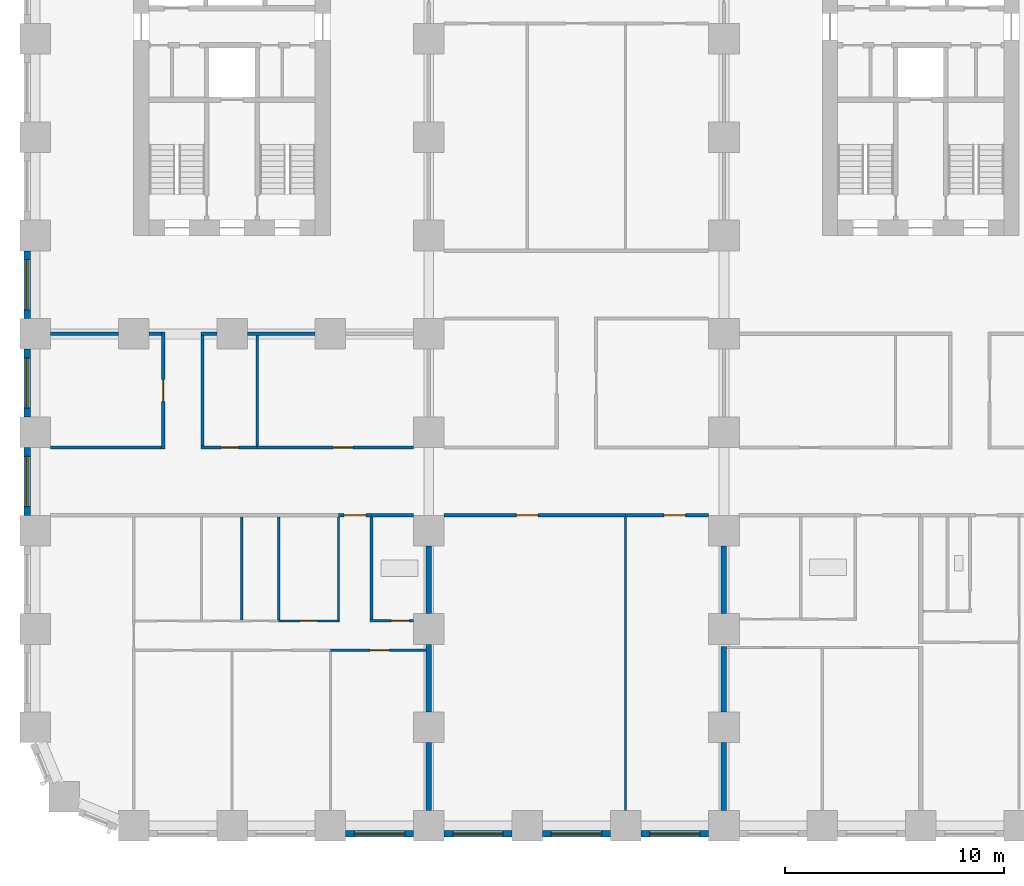
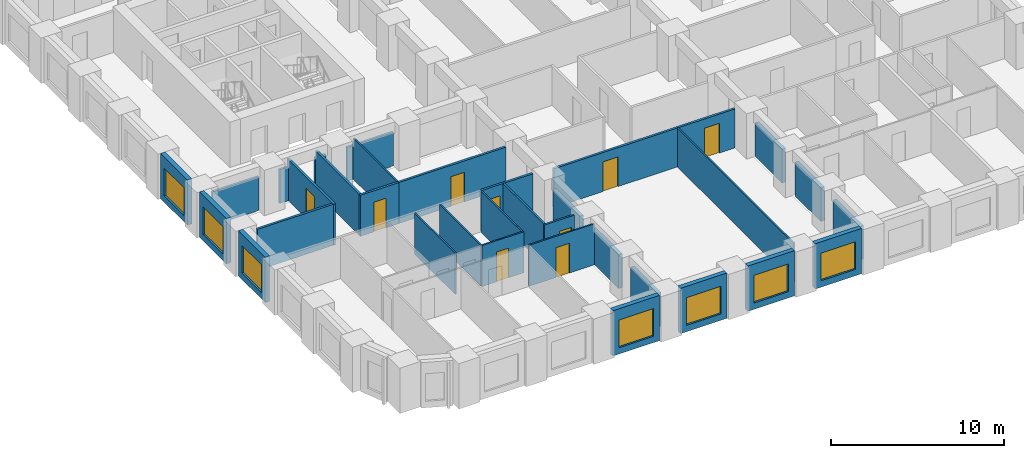
# One storey, part 3 of 13: 35 walls, 9 doors, 7 windows, 16 openings.
"""IFC4 building model written with IfcOpenShell, lengths in metres."""

from ifc_helpers import new_model, si_unit, direction, frame, frame_2d, origin, place, context, subcontext, project, spatial, rectangle, extrude, material, layer, layer_set, type_object, element, fill, save


model = new_model("IFC4")

# Units and contexts
model_context = context("Model", 3, precision=1e-05, world=origin(), true_north=direction((0.0, 1.0)))
body_context = subcontext(model_context, "Body", "Model", "MODEL_VIEW")
ifc_project = project(units=[si_unit("LENGTHUNIT", "METRE"), si_unit("AREAUNIT", "SQUARE_METRE"), si_unit("VOLUMEUNIT", "CUBIC_METRE"), si_unit("PLANEANGLEUNIT", "RADIAN"), si_unit("MASSUNIT", "GRAM", prefix="KILO")], contexts=[model_context])

# Site, building, storey
site_placement = place(None, origin())
site = spatial("IfcSite", under=ifc_project, at=site_placement, CompositionType="ELEMENT")
building_placement = place(site_placement, origin())
building = spatial("IfcBuilding", under=site, at=building_placement, Name="Girih Gate Residences", CompositionType="ELEMENT")
storey_placement = place(building_placement, frame((0.0, 0.0, 43.199951171875)))
storey = spatial("IfcBuildingStorey", under=building, at=storey_placement, Name="L10", CompositionType="ELEMENT", Elevation=43.199951171875)

# Walls
ifc_material_1 = material(Name="Gypsum board on steel studs", Category="steel")
ifc_layer_1 = layer(ifc_material_1, 0.25)
ifc_layer_set_1 = layer_set([ifc_layer_1], Name="Acoustic separating wall 250 mm")
wall_type_1 = type_object("IfcWallType", Name="Acoustic separating wall 250 mm", PredefinedType="PARTITIONING", material=ifc_layer_set_1)
for number, where, z_axis, x_axis, name in (
    (1, (18.0, 9.699951171875, 0.0), (0.0, 0.0, 1.0), (0.0, 1.0, 0.0), "L10 partition"),
    (2, (18.0, 5.199951171875, 0.0), (0.0, 0.0, 1.0), (0.0, 1.0, 0.0), "L10 partition"),
    (3, (18.0, 0.699951171875, 0.0), (0.0, 0.0, 1.0), (0.0, 1.0, 0.0), "L10 partition"),
    (4, (31.5, 9.699951171875, 0.0), (0.0, 0.0, 1.0), (0.0, 1.0, 0.0), "L10 partition"),
    (5, (31.5, 0.699951171875, 0.0), (0.0, 0.0, 1.0), (0.0, 1.0, 0.0), "L10 partition"),
):
    element("IfcWall", number, at=place(storey_placement, frame(where, z_axis=z_axis, x_axis=x_axis)), inside=storey, type_object=wall_type_1, Name=name, PredefinedType="PARTITIONING", context=body_context, shape_type="SweptSolid", body=[
        extrude(rectangle(XDim=3.10009765625, YDim=0.25, at=frame_2d((1.550048828125, 0.0))), origin(), (0.0, 0.0, 1.0), 2.380126953125),
    ])
wall_1_placement = place(storey_placement, frame((31.5, 5.199951171875, 0.0), z_axis=(0.0, 0.0, 1.0), x_axis=(0.0, 1.0, 0.0)))
element("IfcWall", 6, at=wall_1_placement, inside=storey, type_object=wall_type_1, Name="L10 partition", PredefinedType="PARTITIONING", context=body_context, shape_type="SweptSolid", body=[
    extrude(rectangle(XDim=3.0, YDim=0.25, at=frame_2d((1.5, 0.0))), origin(), (0.0, 0.0, 1.0), 2.380126953125),
])
ifc_layer_2 = layer(ifc_material_1, 0.14990234375)
ifc_layer_set_2 = layer_set([ifc_layer_2], Name="Compartment wall 150 mm")
wall_type_2 = type_object("IfcWallType", Name="Compartment wall 150 mm", PredefinedType="PARTITIONING", material=ifc_layer_set_2)
wall_2_placement = place(storey_placement, frame((15.375, 14.199951171875, 0.0), z_axis=(0.0, 0.0, 1.0), x_axis=(1.0, 0.0, 0.0)))
element("IfcWall", 7, at=wall_2_placement, inside=storey, type_object=wall_type_2, Name="L10 partition", PredefinedType="PARTITIONING", context=body_context, shape_type="SweptSolid", body=[
    extrude(rectangle(XDim=1.925048828125, YDim=0.14990234375, at=frame_2d((0.96240234375, 0.0))), origin(), (0.0, 0.0, 1.0), 2.900146484375),
])

# Wall, opening, door
wall_3_placement = place(storey_placement, frame((15.375, 14.199951171875, 0.0), z_axis=(0.0, 0.0, 1.0), x_axis=(-1.0, 0.0, 0.0)))
wall_3 = element("IfcWall", 8, at=wall_3_placement, inside=storey, type_object=wall_type_2, Name="L10 partition", PredefinedType="PARTITIONING", context=body_context, shape_type="SweptSolid", body=[
    extrude(rectangle(XDim=1.5, YDim=0.14990234375, at=frame_2d((0.75, 0.0))), origin(), (0.0, 0.0, 1.0), 2.900146484375),
])
opening_1_placement = place(wall_3_placement, frame((0.25, 0.0, 0.0)))
opening_1 = element("IfcOpeningElement", 9, at=opening_1_placement, cuts=wall_3, Name="Opening A10-010", PredefinedType="OPENING", context=body_context, shape_type="SweptSolid", body=[
    extrude(rectangle(XDim=1.0, YDim=2.10009765625, at=frame_2d((0.5, 1.050048828125))), frame((0.0, 0.0849609375, 0.0), z_axis=(0.0, -1.0, 0.0), x_axis=(1.0, 0.0, 0.0)), (0.0, 0.0, 1.0), 0.169921875),
])
ifc_material_2 = material(Name="Timber, fire-rated core", Category="wood")
door_type_1 = type_object("IfcDoorType", Name="Flat entrance door 1000x2100 FD30S", OperationType="NOTDEFINED", PredefinedType="DOOR", material=ifc_material_2)
door_1_placement = place(opening_1_placement, origin())
door_1 = element("IfcDoor", 10, at=door_1_placement, inside=storey, type_object=door_type_1, Name="Door A10-010", OperationType="SINGLE_SWING_RIGHT", OverallHeight=2.10009765625, OverallWidth=1.0, PredefinedType="DOOR", context=body_context, shape_type="SweptSolid", body=[
    extrude(rectangle(XDim=1.0, YDim=2.10009765625, at=frame_2d((0.5, 1.050048828125))), frame((0.0, 0.02490234375, 0.0), z_axis=(0.0, -1.0, 0.0), x_axis=(1.0, 0.0, 0.0)), (0.0, 0.0, 1.0), 0.050048828125),
])
fill(opening_1, door_1)

wall_4_placement = place(storey_placement, frame((27.0, 14.199951171875, 0.0), z_axis=(0.0, 0.0, 1.0), x_axis=(-1.0, 0.0, 0.0)))
wall_4 = element("IfcWall", 11, at=wall_4_placement, inside=storey, type_object=wall_type_2, Name="L10 partition", PredefinedType="PARTITIONING", context=body_context, shape_type="SweptSolid", body=[
    extrude(rectangle(XDim=8.300048828125, YDim=0.14990234375, at=frame_2d((4.14990234375, 0.0))), origin(), (0.0, 0.0, 1.0), 2.75),
])
opening_2_placement = place(wall_4_placement, frame((4.0, 0.0, 0.0)))
opening_2 = element("IfcOpeningElement", 12, at=opening_2_placement, cuts=wall_4, Name="Opening A10-049", PredefinedType="OPENING", context=body_context, shape_type="SweptSolid", body=[
    extrude(rectangle(XDim=1.0, YDim=2.10009765625, at=frame_2d((0.5, 1.050048828125))), frame((0.0, 0.0849609375, 0.0), z_axis=(0.0, -1.0, 0.0), x_axis=(1.0, 0.0, 0.0)), (0.0, 0.0, 1.0), 0.169921875),
])
door_type_2 = type_object("IfcDoorType", Name="Amenity room door 1000x2100 FD30S", OperationType="NOTDEFINED", PredefinedType="DOOR", material=ifc_material_2)
door_2_placement = place(opening_2_placement, origin())
door_2 = element("IfcDoor", 13, at=door_2_placement, inside=storey, type_object=door_type_2, Name="Door A10-049", OperationType="SINGLE_SWING_RIGHT", OverallHeight=2.10009765625, OverallWidth=1.0, PredefinedType="DOOR", context=body_context, shape_type="SweptSolid", body=[
    extrude(rectangle(XDim=1.0, YDim=2.10009765625, at=frame_2d((0.5, 1.050048828125))), frame((0.0, 0.02490234375, 0.0), z_axis=(0.0, -1.0, 0.0), x_axis=(1.0, 0.0, 0.0)), (0.0, 0.0, 1.0), 0.050048828125),
])
fill(opening_2, door_2)

wall_5_placement = place(storey_placement, frame((30.800048828125, 14.199951171875, 0.0), z_axis=(0.0, 0.0, 1.0), x_axis=(-1.0, 0.0, 0.0)))
wall_5 = element("IfcWall", 14, at=wall_5_placement, inside=storey, type_object=wall_type_2, Name="L10 partition", PredefinedType="PARTITIONING", context=body_context, shape_type="SweptSolid", body=[
    extrude(rectangle(XDim=3.800048828125, YDim=0.14990234375, at=frame_2d((1.89990234375, 0.0))), origin(), (0.0, 0.0, 1.0), 2.75),
])
opening_3_placement = place(wall_5_placement, frame((1.050048828125, 0.0, 0.0)))
opening_3 = element("IfcOpeningElement", 15, at=opening_3_placement, cuts=wall_5, Name="Opening A10-050", PredefinedType="OPENING", context=body_context, shape_type="SweptSolid", body=[
    extrude(rectangle(XDim=1.0, YDim=2.10009765625, at=frame_2d((0.5, 1.050048828125))), frame((0.0, 0.0849609375, 0.0), z_axis=(0.0, -1.0, 0.0), x_axis=(1.0, 0.0, 0.0)), (0.0, 0.0, 1.0), 0.169921875),
])
door_3_placement = place(opening_3_placement, origin())
door_3 = element("IfcDoor", 16, at=door_3_placement, inside=storey, type_object=door_type_2, Name="Door A10-050", OperationType="SINGLE_SWING_LEFT", OverallHeight=2.10009765625, OverallWidth=1.0, PredefinedType="DOOR", context=body_context, shape_type="SweptSolid", body=[
    extrude(rectangle(XDim=1.0, YDim=2.10009765625, at=frame_2d((0.5, 1.050048828125))), frame((0.0, 0.02490234375, 0.0), z_axis=(0.0, -1.0, 0.0), x_axis=(1.0, 0.0, 0.0)), (0.0, 0.0, 1.0), 0.050048828125),
])
fill(opening_3, door_3)

wall_6_placement = place(storey_placement, frame((10.14990234375, 17.300048828125, 0.0), z_axis=(0.0, 0.0, 1.0), x_axis=(1.0, 0.0, 0.0)))
wall_6 = element("IfcWall", 17, at=wall_6_placement, inside=storey, type_object=wall_type_2, Name="L10 partition", PredefinedType="PARTITIONING", context=body_context, shape_type="SweptSolid", body=[
    extrude(rectangle(XDim=7.150146484375, YDim=0.14990234375, at=frame_2d((3.5751953125, 0.0))), origin(), (0.0, 0.0, 1.0), 2.900146484375),
])
opening_4_placement = place(wall_6_placement, frame((3.47509765625, 0.0, 0.0)))
opening_4 = element("IfcOpeningElement", 18, at=opening_4_placement, cuts=wall_6, Name="Opening A10-054", PredefinedType="OPENING", context=body_context, shape_type="SweptSolid", body=[
    extrude(rectangle(XDim=0.89990234375, YDim=2.10009765625, at=frame_2d((0.449951171875, 1.050048828125))), frame((0.0, 0.0849609375, 0.0), z_axis=(0.0, -1.0, 0.0), x_axis=(1.0, 0.0, 0.0)), (0.0, 0.0, 1.0), 0.169921875),
])
ifc_material_3 = material(Name="Timber", Category="wood")
door_type_3 = type_object("IfcDoorType", Name="Service room door 900x2100", OperationType="NOTDEFINED", PredefinedType="DOOR", material=ifc_material_3)
door_4_placement = place(opening_4_placement, origin())
door_4 = element("IfcDoor", 19, at=door_4_placement, inside=storey, type_object=door_type_3, Name="Door A10-054", OperationType="SINGLE_SWING_RIGHT", OverallHeight=2.10009765625, OverallWidth=0.89990234375, PredefinedType="DOOR", context=body_context, shape_type="SweptSolid", body=[
    extrude(rectangle(XDim=0.89990234375, YDim=2.10009765625, at=frame_2d((0.449951171875, 1.050048828125))), frame((0.0, 0.02490234375, 0.0), z_axis=(0.0, -1.0, 0.0), x_axis=(1.0, 0.0, 0.0)), (0.0, 0.0, 1.0), 0.050048828125),
])
fill(opening_4, door_4)

wall_7_placement = place(storey_placement, frame((7.574951171875, 17.300048828125, 0.0), z_axis=(0.0, 0.0, 1.0), x_axis=(1.0, 0.0, 0.0)))
wall_7 = element("IfcWall", 20, at=wall_7_placement, inside=storey, type_object=wall_type_2, Name="L10 partition", PredefinedType="PARTITIONING", context=body_context, shape_type="SweptSolid", body=[
    extrude(rectangle(XDim=2.574951171875, YDim=0.14990234375, at=frame_2d((1.28759765625, 0.0))), origin(), (0.0, 0.0, 1.0), 2.900146484375),
])
opening_5_placement = place(wall_7_placement, frame((0.925048828125, 0.0, 0.0)))
opening_5 = element("IfcOpeningElement", 21, at=opening_5_placement, cuts=wall_7, Name="Opening A10-056", PredefinedType="OPENING", context=body_context, shape_type="SweptSolid", body=[
    extrude(rectangle(XDim=0.800048828125, YDim=2.10009765625, at=frame_2d((0.39990234375, 1.050048828125))), frame((0.0, 0.0849609375, 0.0), z_axis=(0.0, -1.0, 0.0), x_axis=(1.0, 0.0, 0.0)), (0.0, 0.0, 1.0), 0.169921875),
])
door_type_4 = type_object("IfcDoorType", Name="Bathroom door 800x2100", OperationType="NOTDEFINED", PredefinedType="DOOR", material=ifc_material_3)
door_5_placement = place(opening_5_placement, origin())
door_5 = element("IfcDoor", 22, at=door_5_placement, inside=storey, type_object=door_type_4, Name="Door A10-056", OperationType="SINGLE_SWING_RIGHT", OverallHeight=2.10009765625, OverallWidth=0.800048828125, PredefinedType="DOOR", context=body_context, shape_type="SweptSolid", body=[
    extrude(rectangle(XDim=0.800048828125, YDim=2.10009765625, at=frame_2d((0.39990234375, 1.050048828125))), frame((0.0, 0.02490234375, 0.0), z_axis=(0.0, -1.0, 0.0), x_axis=(1.0, 0.0, 0.0)), (0.0, 0.0, 1.0), 0.050048828125),
])
fill(opening_5, door_5)

# Walls
wall_8_placement = place(storey_placement, frame((0.699951171875, 17.300048828125, 0.0), z_axis=(0.0, 0.0, 1.0), x_axis=(1.0, 0.0, 0.0)))
element("IfcWall", 23, at=wall_8_placement, inside=storey, type_object=wall_type_2, Name="L10 partition", PredefinedType="PARTITIONING", context=body_context, shape_type="SweptSolid", body=[
    extrude(rectangle(XDim=5.074951171875, YDim=0.14990234375, at=frame_2d((2.53759765625, 0.0))), origin(), (0.0, 0.0, 1.0), 2.900146484375),
])
wall_9_placement = place(storey_placement, frame((9.699951171875, 22.5, 0.0), z_axis=(0.0, 0.0, 1.0), x_axis=(1.0, 0.0, 0.0)))
element("IfcWall", 24, at=wall_9_placement, inside=storey, type_object=wall_type_2, Name="L10 partition", PredefinedType="PARTITIONING", context=body_context, shape_type="SweptSolid", body=[
    extrude(rectangle(XDim=3.10009765625, YDim=0.14990234375, at=frame_2d((1.550048828125, 0.0))), origin(), (0.0, 0.0, 1.0), 2.380126953125),
])
wall_10_placement = place(storey_placement, frame((7.574951171875, 22.5, 0.0), z_axis=(0.0, 0.0, 1.0), x_axis=(1.0, 0.0, 0.0)))
element("IfcWall", 25, at=wall_10_placement, inside=storey, type_object=wall_type_2, Name="L10 partition", PredefinedType="PARTITIONING", context=body_context, shape_type="SweptSolid", body=[
    extrude(rectangle(XDim=0.72509765625, YDim=0.14990234375, at=frame_2d((0.362548828125, 0.0))), origin(), (0.0, 0.0, 1.0), 2.380126953125),
])
wall_11_placement = place(storey_placement, frame((5.199951171875, 22.5, 0.0), z_axis=(0.0, 0.0, 1.0), x_axis=(1.0, 0.0, 0.0)))
element("IfcWall", 26, at=wall_11_placement, inside=storey, type_object=wall_type_2, Name="L10 partition", PredefinedType="PARTITIONING", context=body_context, shape_type="SweptSolid", body=[
    extrude(rectangle(XDim=0.574951171875, YDim=0.14990234375, at=frame_2d((0.28759765625, 0.0))), origin(), (0.0, 0.0, 1.0), 2.380126953125),
])
wall_12_placement = place(storey_placement, frame((0.699951171875, 22.5, 0.0), z_axis=(0.0, 0.0, 1.0), x_axis=(1.0, 0.0, 0.0)))
element("IfcWall", 27, at=wall_12_placement, inside=storey, type_object=wall_type_2, Name="L10 partition", PredefinedType="PARTITIONING", context=body_context, shape_type="SweptSolid", body=[
    extrude(rectangle(XDim=3.10009765625, YDim=0.14990234375, at=frame_2d((1.550048828125, 0.0))), origin(), (0.0, 0.0, 1.0), 2.380126953125),
])
wall_13_placement = place(storey_placement, frame((7.64990234375, 17.375, 0.0), z_axis=(0.0, 0.0, 1.0), x_axis=(0.0, 1.0, 0.0)))
element("IfcWall", 28, at=wall_13_placement, inside=storey, type_object=wall_type_2, Name="L10 partition", PredefinedType="PARTITIONING", context=body_context, shape_type="SweptSolid", body=[
    extrude(rectangle(XDim=5.050048828125, YDim=0.14990234375, at=frame_2d((2.52490234375, 0.0))), origin(), (0.0, 0.0, 1.0), 2.900146484375),
])

# Wall, opening, door
wall_14_placement = place(storey_placement, frame((5.85009765625, 17.22509765625, 0.0), z_axis=(0.0, 0.0, 1.0), x_axis=(0.0, 1.0, 0.0)))
wall_14 = element("IfcWall", 29, at=wall_14_placement, inside=storey, type_object=wall_type_2, Name="L10 partition", PredefinedType="PARTITIONING", context=body_context, shape_type="SweptSolid", body=[
    extrude(rectangle(XDim=5.349853515625, YDim=0.14990234375, at=frame_2d((2.6748046875, 0.0))), origin(), (0.0, 0.0, 1.0), 2.900146484375),
])
opening_6_placement = place(wall_14_placement, frame((2.175048828125, 0.0, 0.0)))
opening_6 = element("IfcOpeningElement", 30, at=opening_6_placement, cuts=wall_14, Name="Opening A10-058", PredefinedType="OPENING", context=body_context, shape_type="SweptSolid", body=[
    extrude(rectangle(XDim=1.0, YDim=2.10009765625, at=frame_2d((0.5, 1.050048828125))), frame((0.0, 0.0849609375, 0.0), z_axis=(0.0, -1.0, 0.0), x_axis=(1.0, 0.0, 0.0)), (0.0, 0.0, 1.0), 0.169921875),
])
door_6_placement = place(opening_6_placement, origin())
door_6 = element("IfcDoor", 31, at=door_6_placement, inside=storey, type_object=door_type_2, Name="Door A10-058", OperationType="SINGLE_SWING_LEFT", OverallHeight=2.10009765625, OverallWidth=1.0, PredefinedType="DOOR", context=body_context, shape_type="SweptSolid", body=[
    extrude(rectangle(XDim=1.0, YDim=2.10009765625, at=frame_2d((0.5, 1.050048828125))), frame((0.0, 0.02490234375, 0.0), z_axis=(0.0, -1.0, 0.0), x_axis=(1.0, 0.0, 0.0)), (0.0, 0.0, 1.0), 0.050048828125),
])
fill(opening_6, door_6)

ifc_layer_3 = layer(ifc_material_1, 0.10009765625)
ifc_layer_set_3 = layer_set([ifc_layer_3], Name="Partition 100 mm")
wall_type_3 = type_object("IfcWallType", Name="Partition 100 mm", PredefinedType="PARTITIONING", material=ifc_layer_set_3)
wall_15_placement = place(storey_placement, frame((17.875, 8.030029296875, 0.0), z_axis=(0.0, 0.0, 1.0), x_axis=(-1.0, 0.0, 0.0)))
wall_15 = element("IfcWall", 32, at=wall_15_placement, inside=storey, type_object=wall_type_3, Name="L10 partition", PredefinedType="PARTITIONING", context=body_context, shape_type="SweptSolid", body=[
    extrude(rectangle(XDim=4.375, YDim=0.10009765625, at=frame_2d((2.1875, 0.0))), origin(), (0.0, 0.0, 1.0), 2.900146484375),
])
opening_7_placement = place(wall_15_placement, frame((1.675048828125, 0.0, 0.0)))
opening_7 = element("IfcOpeningElement", 33, at=opening_7_placement, cuts=wall_15, Name="Opening A10-004", PredefinedType="OPENING", context=body_context, shape_type="SweptSolid", body=[
    extrude(rectangle(XDim=0.89990234375, YDim=2.10009765625, at=frame_2d((0.449951171875, 1.050048828125))), frame((0.0, 0.06005859375, 0.0), z_axis=(0.0, -1.0, 0.0), x_axis=(1.0, 0.0, 0.0)), (0.0, 0.0, 1.0), 0.1201171875),
])
door_type_5 = type_object("IfcDoorType", Name="Bedroom door 900x2100", OperationType="NOTDEFINED", PredefinedType="DOOR", material=ifc_material_3)
door_7_placement = place(opening_7_placement, origin())
door_7 = element("IfcDoor", 34, at=door_7_placement, inside=storey, type_object=door_type_5, Name="Door A10-004", OperationType="SINGLE_SWING_LEFT", OverallHeight=2.10009765625, OverallWidth=0.89990234375, PredefinedType="DOOR", context=body_context, shape_type="SweptSolid", body=[
    extrude(rectangle(XDim=0.89990234375, YDim=2.10009765625, at=frame_2d((0.449951171875, 1.050048828125))), frame((0.0, 0.02490234375, 0.0), z_axis=(0.0, -1.0, 0.0), x_axis=(1.0, 0.0, 0.0)), (0.0, 0.0, 1.0), 0.050048828125),
])
fill(opening_7, door_7)

# Wall
wall_16_placement = place(storey_placement, frame((13.875, 9.419921875, 0.0), z_axis=(0.0, 0.0, 1.0), x_axis=(0.0, 1.0, 0.0)))
element("IfcWall", 35, at=wall_16_placement, inside=storey, type_object=wall_type_3, Name="L10 partition", PredefinedType="PARTITIONING", context=body_context, shape_type="SweptSolid", body=[
    extrude(rectangle(XDim=4.705078125, YDim=0.10009765625, at=frame_2d((2.3525390625, 0.0))), origin(), (0.0, 0.0, 1.0), 2.900146484375),
])

# Wall, opening, door
wall_17_placement = place(storey_placement, frame((11.1318359375, 9.3701171875, 0.0), z_axis=(0.0, 0.0, 1.0), x_axis=(1.0, 0.0, 0.0)))
wall_17 = element("IfcWall", 36, at=wall_17_placement, inside=storey, type_object=wall_type_3, Name="L10 partition", PredefinedType="PARTITIONING", context=body_context, shape_type="SweptSolid", body=[
    extrude(rectangle(XDim=2.793212890625, YDim=0.10009765625, at=frame_2d((1.396484375, 0.0))), origin(), (0.0, 0.0, 1.0), 2.900146484375),
])
opening_8_placement = place(wall_17_placement, frame((0.9716796875, 0.0, 0.0)))
opening_8 = element("IfcOpeningElement", 37, at=opening_8_placement, cuts=wall_17, Name="Opening A10-005", PredefinedType="OPENING", context=body_context, shape_type="SweptSolid", body=[
    extrude(rectangle(XDim=0.800048828125, YDim=2.10009765625, at=frame_2d((0.39990234375, 1.050048828125))), frame((0.0, 0.06005859375, 0.0), z_axis=(0.0, -1.0, 0.0), x_axis=(1.0, 0.0, 0.0)), (0.0, 0.0, 1.0), 0.1201171875),
])
door_type_6 = type_object("IfcDoorType", Name="Store door 800x2100", OperationType="NOTDEFINED", PredefinedType="DOOR", material=ifc_material_3)
door_8_placement = place(opening_8_placement, origin())
door_8 = element("IfcDoor", 38, at=door_8_placement, inside=storey, type_object=door_type_6, Name="Door A10-005", OperationType="SINGLE_SWING_LEFT", OverallHeight=2.10009765625, OverallWidth=0.800048828125, PredefinedType="DOOR", context=body_context, shape_type="SweptSolid", body=[
    extrude(rectangle(XDim=0.800048828125, YDim=2.10009765625, at=frame_2d((0.39990234375, 1.050048828125))), frame((0.0, 0.02490234375, 0.0), z_axis=(0.0, -1.0, 0.0), x_axis=(1.0, 0.0, 0.0)), (0.0, 0.0, 1.0), 0.050048828125),
])
fill(opening_8, door_8)

# Walls
for number, where, z_axis, x_axis, name in (
    (39, (11.132080078125, 9.419921875, 0.0), (0.0, 0.0, 1.0), (0.0, 1.0, 0.0), "L10 partition"),
    (40, (9.44189453125, 9.419921875, 0.0), (0.0, 0.0, 1.0), (0.0, 1.0, 0.0), "L10 partition"),
):
    element("IfcWall", number, at=place(storey_placement, frame(where, z_axis=z_axis, x_axis=x_axis)), inside=storey, type_object=wall_type_3, Name=name, PredefinedType="PARTITIONING", context=body_context, shape_type="SweptSolid", body=[
        extrude(rectangle(XDim=4.705078125, YDim=0.10009765625, at=frame_2d((2.3525390625, 0.0))), origin(), (0.0, 0.0, 1.0), 2.900146484375),
    ])
wall_18_placement = place(storey_placement, frame((27.0, 0.699951171875, 0.0), z_axis=(0.0, 0.0, 1.0), x_axis=(0.0, 1.0, 0.0)))
element("IfcWall", 41, at=wall_18_placement, inside=storey, type_object=wall_type_3, Name="L10 partition", PredefinedType="PARTITIONING", context=body_context, shape_type="SweptSolid", body=[
    extrude(rectangle(XDim=13.425048828125, YDim=0.10009765625, at=frame_2d((6.71240234375, 0.0))), origin(), (0.0, 0.0, 1.0), 2.75),
])
wall_19_placement = place(storey_placement, frame((10.14990234375, 17.375, 0.0), z_axis=(0.0, 0.0, 1.0), x_axis=(0.0, 1.0, 0.0)))
element("IfcWall", 42, at=wall_19_placement, inside=storey, type_object=wall_type_3, Name="L10 partition", PredefinedType="PARTITIONING", context=body_context, shape_type="SweptSolid", body=[
    extrude(rectangle(XDim=5.050048828125, YDim=0.10009765625, at=frame_2d((2.52490234375, 0.0))), origin(), (0.0, 0.0, 1.0), 2.900146484375),
])

# Wall, opening, window
ifc_material_4 = material(Name="Precast concrete C50/60", Category="concrete")
ifc_layer_4 = layer(ifc_material_4, 0.080078125, Name="Outer leaf")
ifc_material_5 = material(Name="Rigid PIR insulation")
ifc_layer_5 = layer(ifc_material_5, 0.14990234375, Name="Insulation")
ifc_material_6 = material(Name="Precast concrete C40/50", Category="concrete")
ifc_layer_6 = layer(ifc_material_6, 0.070068359375, Name="Inner leaf")
ifc_layer_set_4 = layer_set([ifc_layer_4, ifc_layer_5, ifc_layer_6], Name="Precast concrete C50/60 external wall 300")
wall_type_4 = type_object("IfcWallType", Name="Precast concrete C50/60 external wall 300", PredefinedType="SOLIDWALL", material=ifc_layer_set_4)
wall_20_placement = place(storey_placement, frame((17.300048828125, -0.375, 0.0), z_axis=(0.0, 0.0, 1.0), x_axis=(-1.0, 0.0, 0.0)))
wall_20 = element("IfcWall", 43, at=wall_20_placement, inside=storey, type_object=wall_type_4, Name="External wall S0045_0000.2", PredefinedType="SOLIDWALL", context=body_context, shape_type="SweptSolid", body=[
    extrude(rectangle(XDim=3.10009765625, YDim=0.300048828125, at=frame_2d((1.550048828125, 0.0))), origin(), (0.0, 0.0, 1.0), 3.199951171875),
])
opening_9_placement = place(wall_20_placement, frame((0.39990234375, 0.0, 0.449951171875)))
opening_9 = element("IfcOpeningElement", 44, at=opening_9_placement, cuts=wall_20, Name="Opening W-1", PredefinedType="OPENING", context=body_context, shape_type="SweptSolid", body=[
    extrude(rectangle(XDim=2.300048828125, YDim=1.949951171875, at=frame_2d((1.14990234375, 0.97509765625))), frame((0.0, 0.159912109375, 0.0), z_axis=(0.0, -1.0, 0.0), x_axis=(1.0, 0.0, 0.0)), (0.0, 0.0, 1.0), 0.320068359375),
])
ifc_material_7 = material(Name="Double glazing in aluminium frame", Category="aluminium")
window_type = type_object("IfcWindowType", Name="Window W-1 2300x1950", PartitioningType="SINGLE_PANEL", PredefinedType="WINDOW", material=ifc_material_7)
window_1_placement = place(opening_9_placement, origin())
window_1 = element("IfcWindow", 45, at=window_1_placement, inside=storey, type_object=window_type, Name="Window W-1 S0045_0000.2", OverallHeight=1.949951171875, OverallWidth=2.300048828125, PartitioningType="SINGLE_PANEL", PredefinedType="WINDOW", context=body_context, shape_type="SweptSolid", body=[
    extrude(rectangle(XDim=2.300048828125, YDim=1.949951171875, at=frame_2d((1.14990234375, 0.97509765625))), frame((0.0, 0.030029296875, 0.0), z_axis=(0.0, -1.0, 0.0), x_axis=(1.0, 0.0, 0.0)), (0.0, 0.0, 1.0), 0.06005859375),
])
fill(opening_9, window_1)

wall_21_placement = place(storey_placement, frame((21.800048828125, -0.375, 0.0), z_axis=(0.0, 0.0, 1.0), x_axis=(-1.0, 0.0, 0.0)))
wall_21 = element("IfcWall", 46, at=wall_21_placement, inside=storey, type_object=wall_type_4, Name="External wall S0045_0000.3", PredefinedType="SOLIDWALL", context=body_context, shape_type="SweptSolid", body=[
    extrude(rectangle(XDim=3.10009765625, YDim=0.300048828125, at=frame_2d((1.550048828125, 0.0))), origin(), (0.0, 0.0, 1.0), 3.199951171875),
])
opening_10_placement = place(wall_21_placement, frame((0.39990234375, 0.0, 0.449951171875)))
opening_10 = element("IfcOpeningElement", 47, at=opening_10_placement, cuts=wall_21, Name="Opening W-1", PredefinedType="OPENING", context=body_context, shape_type="SweptSolid", body=[
    extrude(rectangle(XDim=2.300048828125, YDim=1.949951171875, at=frame_2d((1.14990234375, 0.97509765625))), frame((0.0, 0.159912109375, 0.0), z_axis=(0.0, -1.0, 0.0), x_axis=(1.0, 0.0, 0.0)), (0.0, 0.0, 1.0), 0.320068359375),
])
window_2_placement = place(opening_10_placement, origin())
window_2 = element("IfcWindow", 48, at=window_2_placement, inside=storey, type_object=window_type, Name="Window W-1 S0045_0000.3", OverallHeight=1.949951171875, OverallWidth=2.300048828125, PartitioningType="SINGLE_PANEL", PredefinedType="WINDOW", context=body_context, shape_type="SweptSolid", body=[
    extrude(rectangle(XDim=2.300048828125, YDim=1.949951171875, at=frame_2d((1.14990234375, 0.97509765625))), frame((0.0, 0.030029296875, 0.0), z_axis=(0.0, -1.0, 0.0), x_axis=(1.0, 0.0, 0.0)), (0.0, 0.0, 1.0), 0.06005859375),
])
fill(opening_10, window_2)

wall_22_placement = place(storey_placement, frame((26.300048828125, -0.375, 0.0), z_axis=(0.0, 0.0, 1.0), x_axis=(-1.0, 0.0, 0.0)))
wall_22 = element("IfcWall", 49, at=wall_22_placement, inside=storey, type_object=wall_type_4, Name="External wall S0045_0000.4", PredefinedType="SOLIDWALL", context=body_context, shape_type="SweptSolid", body=[
    extrude(rectangle(XDim=3.10009765625, YDim=0.300048828125, at=frame_2d((1.550048828125, 0.0))), origin(), (0.0, 0.0, 1.0), 3.199951171875),
])
opening_11_placement = place(wall_22_placement, frame((0.39990234375, 0.0, 0.449951171875)))
opening_11 = element("IfcOpeningElement", 50, at=opening_11_placement, cuts=wall_22, Name="Opening W-1", PredefinedType="OPENING", context=body_context, shape_type="SweptSolid", body=[
    extrude(rectangle(XDim=2.300048828125, YDim=1.949951171875, at=frame_2d((1.14990234375, 0.97509765625))), frame((0.0, 0.159912109375, 0.0), z_axis=(0.0, -1.0, 0.0), x_axis=(1.0, 0.0, 0.0)), (0.0, 0.0, 1.0), 0.320068359375),
])
window_3_placement = place(opening_11_placement, origin())
window_3 = element("IfcWindow", 51, at=window_3_placement, inside=storey, type_object=window_type, Name="Window W-1 S0045_0000.4", OverallHeight=1.949951171875, OverallWidth=2.300048828125, PartitioningType="SINGLE_PANEL", PredefinedType="WINDOW", context=body_context, shape_type="SweptSolid", body=[
    extrude(rectangle(XDim=2.300048828125, YDim=1.949951171875, at=frame_2d((1.14990234375, 0.97509765625))), frame((0.0, 0.030029296875, 0.0), z_axis=(0.0, -1.0, 0.0), x_axis=(1.0, 0.0, 0.0)), (0.0, 0.0, 1.0), 0.06005859375),
])
fill(opening_11, window_3)

wall_23_placement = place(storey_placement, frame((30.800048828125, -0.375, 0.0), z_axis=(0.0, 0.0, 1.0), x_axis=(-1.0, 0.0, 0.0)))
wall_23 = element("IfcWall", 52, at=wall_23_placement, inside=storey, type_object=wall_type_4, Name="External wall S0045_0000.5", PredefinedType="SOLIDWALL", context=body_context, shape_type="SweptSolid", body=[
    extrude(rectangle(XDim=3.10009765625, YDim=0.300048828125, at=frame_2d((1.550048828125, 0.0))), origin(), (0.0, 0.0, 1.0), 3.199951171875),
])
opening_12_placement = place(wall_23_placement, frame((0.39990234375, 0.0, 0.449951171875)))
opening_12 = element("IfcOpeningElement", 53, at=opening_12_placement, cuts=wall_23, Name="Opening W-1", PredefinedType="OPENING", context=body_context, shape_type="SweptSolid", body=[
    extrude(rectangle(XDim=2.300048828125, YDim=1.949951171875, at=frame_2d((1.14990234375, 0.97509765625))), frame((0.0, 0.159912109375, 0.0), z_axis=(0.0, -1.0, 0.0), x_axis=(1.0, 0.0, 0.0)), (0.0, 0.0, 1.0), 0.320068359375),
])
window_4_placement = place(opening_12_placement, origin())
window_4 = element("IfcWindow", 54, at=window_4_placement, inside=storey, type_object=window_type, Name="Window W-1 S0045_0000.5", OverallHeight=1.949951171875, OverallWidth=2.300048828125, PartitioningType="SINGLE_PANEL", PredefinedType="WINDOW", context=body_context, shape_type="SweptSolid", body=[
    extrude(rectangle(XDim=2.300048828125, YDim=1.949951171875, at=frame_2d((1.14990234375, 0.97509765625))), frame((0.0, 0.030029296875, 0.0), z_axis=(0.0, -1.0, 0.0), x_axis=(1.0, 0.0, 0.0)), (0.0, 0.0, 1.0), 0.06005859375),
])
fill(opening_12, window_4)

wall_24_placement = place(storey_placement, frame((-0.375, 23.199951171875, 0.0), z_axis=(0.0, 0.0, 1.0), x_axis=(0.0, 1.0, 0.0)))
wall_24 = element("IfcWall", 55, at=wall_24_placement, inside=storey, type_object=wall_type_4, Name="External wall W0000_0450.4", PredefinedType="SOLIDWALL", context=body_context, shape_type="SweptSolid", body=[
    extrude(rectangle(XDim=3.10009765625, YDim=0.300048828125, at=frame_2d((1.550048828125, 0.0))), origin(), (0.0, 0.0, 1.0), 3.199951171875),
])
opening_13_placement = place(wall_24_placement, frame((0.39990234375, 0.0, 0.449951171875)))
opening_13 = element("IfcOpeningElement", 56, at=opening_13_placement, cuts=wall_24, Name="Opening W-1", PredefinedType="OPENING", context=body_context, shape_type="SweptSolid", body=[
    extrude(rectangle(XDim=2.300048828125, YDim=1.949951171875, at=frame_2d((1.14990234375, 0.97509765625))), frame((0.0, 0.159912109375, 0.0), z_axis=(0.0, -1.0, 0.0), x_axis=(1.0, 0.0, 0.0)), (0.0, 0.0, 1.0), 0.320068359375),
])
window_5_placement = place(opening_13_placement, origin())
window_5 = element("IfcWindow", 57, at=window_5_placement, inside=storey, type_object=window_type, Name="Window W-1 W0000_0450.4", OverallHeight=1.949951171875, OverallWidth=2.300048828125, PartitioningType="SINGLE_PANEL", PredefinedType="WINDOW", context=body_context, shape_type="SweptSolid", body=[
    extrude(rectangle(XDim=2.300048828125, YDim=1.949951171875, at=frame_2d((1.14990234375, 0.97509765625))), frame((0.0, 0.030029296875, 0.0), z_axis=(0.0, -1.0, 0.0), x_axis=(1.0, 0.0, 0.0)), (0.0, 0.0, 1.0), 0.06005859375),
])
fill(opening_13, window_5)

wall_25_placement = place(storey_placement, frame((-0.375, 18.699951171875, 0.0), z_axis=(0.0, 0.0, 1.0), x_axis=(0.0, 1.0, 0.0)))
wall_25 = element("IfcWall", 58, at=wall_25_placement, inside=storey, type_object=wall_type_4, Name="External wall W0000_0450.5", PredefinedType="SOLIDWALL", context=body_context, shape_type="SweptSolid", body=[
    extrude(rectangle(XDim=3.10009765625, YDim=0.300048828125, at=frame_2d((1.550048828125, 0.0))), origin(), (0.0, 0.0, 1.0), 3.199951171875),
])
opening_14_placement = place(wall_25_placement, frame((0.39990234375, 0.0, 0.449951171875)))
opening_14 = element("IfcOpeningElement", 59, at=opening_14_placement, cuts=wall_25, Name="Opening W-1", PredefinedType="OPENING", context=body_context, shape_type="SweptSolid", body=[
    extrude(rectangle(XDim=2.300048828125, YDim=1.949951171875, at=frame_2d((1.14990234375, 0.97509765625))), frame((0.0, 0.159912109375, 0.0), z_axis=(0.0, -1.0, 0.0), x_axis=(1.0, 0.0, 0.0)), (0.0, 0.0, 1.0), 0.320068359375),
])
window_6_placement = place(opening_14_placement, origin())
window_6 = element("IfcWindow", 60, at=window_6_placement, inside=storey, type_object=window_type, Name="Window W-1 W0000_0450.5", OverallHeight=1.949951171875, OverallWidth=2.300048828125, PartitioningType="SINGLE_PANEL", PredefinedType="WINDOW", context=body_context, shape_type="SweptSolid", body=[
    extrude(rectangle(XDim=2.300048828125, YDim=1.949951171875, at=frame_2d((1.14990234375, 0.97509765625))), frame((0.0, 0.030029296875, 0.0), z_axis=(0.0, -1.0, 0.0), x_axis=(1.0, 0.0, 0.0)), (0.0, 0.0, 1.0), 0.06005859375),
])
fill(opening_14, window_6)

wall_26_placement = place(storey_placement, frame((-0.375, 14.199951171875, 0.0), z_axis=(0.0, 0.0, 1.0), x_axis=(0.0, 1.0, 0.0)))
wall_26 = element("IfcWall", 61, at=wall_26_placement, inside=storey, type_object=wall_type_4, Name="External wall W0000_0450.6", PredefinedType="SOLIDWALL", context=body_context, shape_type="SweptSolid", body=[
    extrude(rectangle(XDim=3.10009765625, YDim=0.300048828125, at=frame_2d((1.550048828125, 0.0))), origin(), (0.0, 0.0, 1.0), 3.199951171875),
])
opening_15_placement = place(wall_26_placement, frame((0.39990234375, 0.0, 0.449951171875)))
opening_15 = element("IfcOpeningElement", 62, at=opening_15_placement, cuts=wall_26, Name="Opening W-1", PredefinedType="OPENING", context=body_context, shape_type="SweptSolid", body=[
    extrude(rectangle(XDim=2.300048828125, YDim=1.949951171875, at=frame_2d((1.14990234375, 0.97509765625))), frame((0.0, 0.159912109375, 0.0), z_axis=(0.0, -1.0, 0.0), x_axis=(1.0, 0.0, 0.0)), (0.0, 0.0, 1.0), 0.320068359375),
])
window_7_placement = place(opening_15_placement, origin())
window_7 = element("IfcWindow", 63, at=window_7_placement, inside=storey, type_object=window_type, Name="Window W-1 W0000_0450.6", OverallHeight=1.949951171875, OverallWidth=2.300048828125, PartitioningType="SINGLE_PANEL", PredefinedType="WINDOW", context=body_context, shape_type="SweptSolid", body=[
    extrude(rectangle(XDim=2.300048828125, YDim=1.949951171875, at=frame_2d((1.14990234375, 0.97509765625))), frame((0.0, 0.030029296875, 0.0), z_axis=(0.0, -1.0, 0.0), x_axis=(1.0, 0.0, 0.0)), (0.0, 0.0, 1.0), 0.06005859375),
])
fill(opening_15, window_7)

# Wall, opening, door
ifc_layer_7 = layer(ifc_material_1, 0.125)
ifc_layer_set_5 = layer_set([ifc_layer_7], Name="Wet room wall 125 mm")
wall_type_5 = type_object("IfcWallType", Name="Wet room wall 125 mm", PredefinedType="PARTITIONING", material=ifc_layer_set_5)
wall_27_placement = place(storey_placement, frame((15.3125, 9.3701171875, 0.0), z_axis=(0.0, 0.0, 1.0), x_axis=(1.0, 0.0, 0.0)))
wall_27 = element("IfcWall", 64, at=wall_27_placement, inside=storey, type_object=wall_type_5, Name="L10 partition", PredefinedType="PARTITIONING", context=body_context, shape_type="SweptSolid", body=[
    extrude(rectangle(XDim=1.987548828125, YDim=0.125, at=frame_2d((0.99365234375, 0.0))), origin(), (0.0, 0.0, 1.0), 2.900146484375),
])
opening_16_placement = place(wall_27_placement, frame((0.97509765625, 0.0, 0.0)))
opening_16 = element("IfcOpeningElement", 65, at=opening_16_placement, cuts=wall_27, Name="Opening A10-001", PredefinedType="OPENING", context=body_context, shape_type="SweptSolid", body=[
    extrude(rectangle(XDim=0.800048828125, YDim=2.10009765625, at=frame_2d((0.39990234375, 1.050048828125))), frame((0.0, 0.072509765625, 0.0), z_axis=(0.0, -1.0, 0.0), x_axis=(1.0, 0.0, 0.0)), (0.0, 0.0, 1.0), 0.14501953125),
])
door_9_placement = place(opening_16_placement, origin())
door_9 = element("IfcDoor", 66, at=door_9_placement, inside=storey, type_object=door_type_4, Name="Door A10-001", OperationType="SINGLE_SWING_RIGHT", OverallHeight=2.10009765625, OverallWidth=0.800048828125, PredefinedType="DOOR", context=body_context, shape_type="SweptSolid", body=[
    extrude(rectangle(XDim=0.800048828125, YDim=2.10009765625, at=frame_2d((0.39990234375, 1.050048828125))), frame((0.0, 0.02490234375, 0.0), z_axis=(0.0, -1.0, 0.0), x_axis=(1.0, 0.0, 0.0)), (0.0, 0.0, 1.0), 0.050048828125),
])
fill(opening_16, door_9)

# Wall
wall_28_placement = place(storey_placement, frame((15.375, 9.4326171875, 0.0), z_axis=(0.0, 0.0, 1.0), x_axis=(0.0, 1.0, 0.0)))
element("IfcWall", 67, at=wall_28_placement, inside=storey, type_object=wall_type_5, Name="L10 partition", PredefinedType="PARTITIONING", context=body_context, shape_type="SweptSolid", body=[
    extrude(rectangle(XDim=4.6923828125, YDim=0.125, at=frame_2d((2.34619140625, 0.0))), origin(), (0.0, 0.0, 1.0), 2.900146484375),
])

save(model, "model.ifc")
